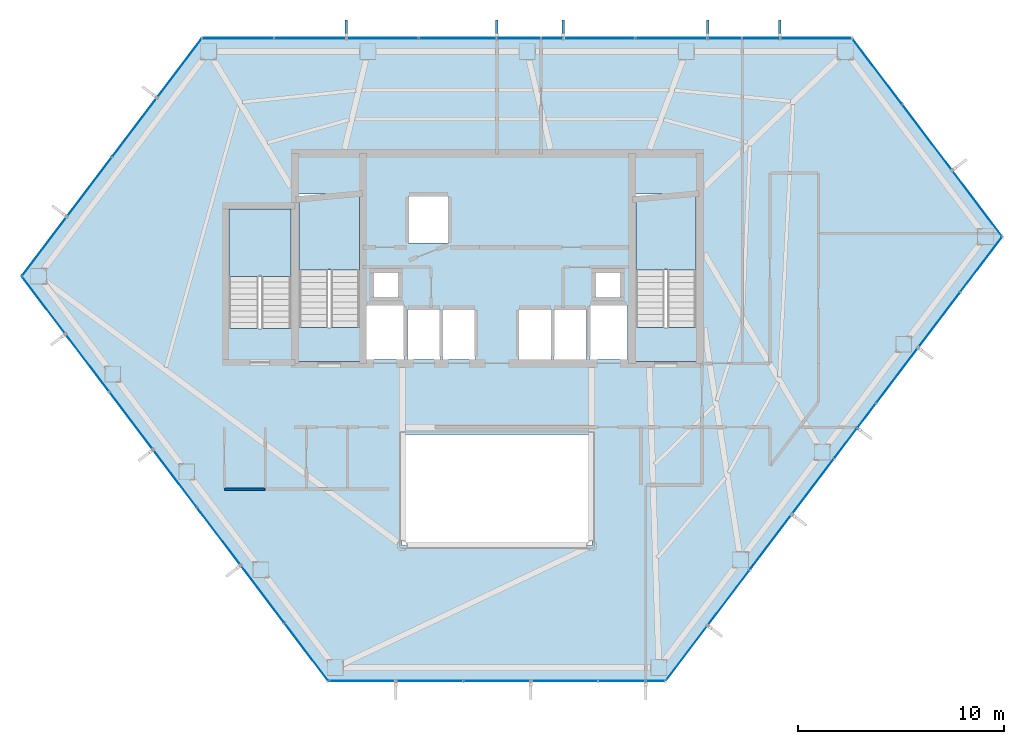
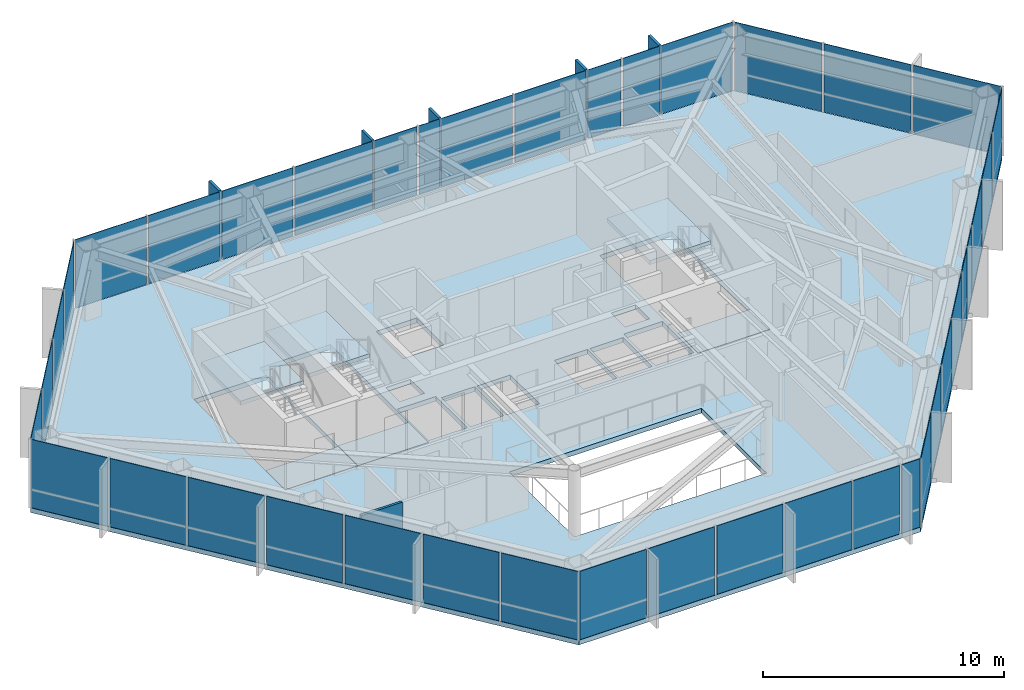
# One storey, part 24 of 28: 40 plates, 7 slabs, 5 members, 1 wall, 9 elements without a shape of their own.
"""IFC4 building model written with IfcOpenShell, lengths in metres."""

import ifcopenshell
import ifcopenshell.guid

model = None  # the IFC model being written
_history = None  # IfcOwnerHistory: only IFC2X3 demands one
_inside = {}  # id of a spatial element -> (the spatial element, [elements in it])
_under = {}  # id of a project, library or spatial element -> (it, [spatial elements below it])
_declared = {}  # id of a project -> (the project, [libraries it declares])
_typed = {}  # id of a type object -> (the type object, [elements of that type])
_made_of = {}  # id of a material, layer set ... -> (it, [elements and type objects made of it])


def new_model(schema):
    """Start an empty IFC model of exactly this schema.

    Asked for "IFC4X3", IfcOpenShell would pick the latest addendum, in which some entities
    have other attributes; the version numbers below select the first issue.
    IFC2X3 requires an IfcOwnerHistory on every rooted entity: one is made here for all.
    """
    global model, _history
    if schema == "IFC4X3":
        model = ifcopenshell.file(schema_version=(4, 3, 0, 0))
    else:
        model = ifcopenshell.file(schema=schema)
    _inside.clear()
    _under.clear()
    _declared.clear()
    _typed.clear()
    _made_of.clear()
    _history = None
    if model.schema == "IFC2X3":
        org = make("IfcOrganization", Name="unknown")
        user = make(
            "IfcPersonAndOrganization",
            ThePerson=make("IfcPerson", FamilyName="unknown"),
            TheOrganization=org,
        )
        app = make(
            "IfcApplication",
            ApplicationDeveloper=org,
            Version="unknown",
            ApplicationFullName="unknown",
            ApplicationIdentifier="unknown",
        )
        _history = make(
            "IfcOwnerHistory",
            OwningUser=user,
            OwningApplication=app,
            ChangeAction="ADDED",
            CreationDate=0,
        )
    return model


def make(cls, **values):
    """One entity of the class cls with the attributes given. An attribute that is None is left unset."""
    return model.create_entity(
        cls, **{name: value for name, value in values.items() if value is not None}
    )


def rooted(cls, **values):
    """An entity with a GlobalId (a new one), such as an element, a storey or a relation."""
    return make(cls, GlobalId=ifcopenshell.guid.new(), OwnerHistory=_history, **values)


def si_unit(unit_type, name, prefix=None):
    """IfcSIUnit, for example si_unit("LENGTHUNIT", "METRE", prefix="MILLI")."""
    return make("IfcSIUnit", UnitType=unit_type, Prefix=prefix, Name=name)


def assignment(units):
    """IfcUnitAssignment: the units of a project."""
    return None if units is None else make("IfcUnitAssignment", Units=units)


def point(xyz):
    """IfcCartesianPoint."""
    return None if xyz is None else make("IfcCartesianPoint", Coordinates=xyz)


def direction(xyz):
    """IfcDirection."""
    return None if xyz is None else make("IfcDirection", DirectionRatios=xyz)


def frame(location, z_axis=None, x_axis=None):
    """IfcAxis2Placement3D, a coordinate frame: its origin and axes. An axis left out is left unset."""
    return make(
        "IfcAxis2Placement3D",
        Location=point(location),
        Axis=direction(z_axis),
        RefDirection=direction(x_axis),
    )


def frame_2d(location, x_axis=None):
    """IfcAxis2Placement2D, a coordinate frame in the plane: its origin and x axis."""
    return make(
        "IfcAxis2Placement2D", Location=point(location), RefDirection=direction(x_axis)
    )


def origin():
    """The frame at (0, 0, 0) with its axes left unset."""
    return frame((0.0, 0.0, 0.0))


def origin_2d():
    """The frame at (0, 0) in the plane with its x axis left unset."""
    return frame_2d((0.0, 0.0))


def place(relative_to, where):
    """IfcLocalPlacement: puts the frame where relative to a parent placement (None: the world)."""
    return make(
        "IfcLocalPlacement", PlacementRelTo=relative_to, RelativePlacement=where
    )


def context(
    kind, dimensions, precision=None, world=None, true_north=None, identifier=None
):
    """IfcGeometricRepresentationContext, for example the 3D "Model" context."""
    return make(
        "IfcGeometricRepresentationContext",
        ContextIdentifier=identifier,
        ContextType=kind,
        CoordinateSpaceDimension=dimensions,
        Precision=precision,
        WorldCoordinateSystem=world,
        TrueNorth=true_north,
    )


def subcontext(parent, identifier, kind, view, scale=None):
    """IfcGeometricRepresentationSubContext, for example "Body" below "Model"."""
    return make(
        "IfcGeometricRepresentationSubContext",
        ContextIdentifier=identifier,
        ContextType=kind,
        ParentContext=parent,
        TargetScale=scale,
        TargetView=view,
    )


def project(units=None, contexts=None):
    """IfcProject with its units and contexts."""
    return rooted(
        "IfcProject",
        Name="project",
        RepresentationContexts=contexts,
        UnitsInContext=assignment(units),
    )


def spatial(cls, under=None, at=None, **own):
    """A site, building, storey or space (cls), placed at a placement, below another one or the project."""
    s = rooted(cls, ObjectPlacement=at, **own)
    if under is not None:
        _under.setdefault(under.id(), (under, []))[1].append(s)
    return s


def polyline(points):
    """IfcPolyline through the points."""
    return make("IfcPolyline", Points=[point(p) for p in points])


def profile(cls, at=None, kind="AREA", **sizes):
    """A parametric profile (cls). Its sizes go by their IFC names, for example OverallWidth=200.0."""
    return make(cls, ProfileType=kind, Position=at, **sizes)


def rectangle(**sizes):
    """IfcRectangleProfileDef."""
    return profile("IfcRectangleProfileDef", **sizes)


def outline(outer, holes=None, kind="AREA"):
    """IfcArbitraryClosedProfileDef: a profile drawn as a closed curve; with holes, ...WithVoids."""
    if holes is None:
        return make("IfcArbitraryClosedProfileDef", ProfileType=kind, OuterCurve=outer)
    return make(
        "IfcArbitraryProfileDefWithVoids",
        ProfileType=kind,
        OuterCurve=outer,
        InnerCurves=holes,
    )


def extrude(swept, where, along, depth):
    """IfcExtrudedAreaSolid: the profile swept, set in the frame where, extruded along a direction by depth."""
    return make(
        "IfcExtrudedAreaSolid",
        SweptArea=swept,
        Position=where,
        ExtrudedDirection=direction(along),
        Depth=depth,
    )


def shape(context_of_items, identifier, shape_type, items):
    """IfcShapeRepresentation: the items that make up one representation, for example the "Body"."""
    return make(
        "IfcShapeRepresentation",
        ContextOfItems=context_of_items,
        RepresentationIdentifier=identifier,
        RepresentationType=shape_type,
        Items=items,
    )


def material(Name=None, Category=None):
    """IfcMaterial."""
    return make("IfcMaterial", Name=Name, Category=Category)


def layer(
    of_material, thickness, ventilated=None, Name=None, Category=None, Priority=None
):
    """IfcMaterialLayer: one layer of a wall or slab, of a material (None: an air gap)."""
    return make(
        "IfcMaterialLayer",
        Material=of_material,
        LayerThickness=thickness,
        IsVentilated=ventilated,
        Name=Name,
        Category=Category,
        Priority=Priority,
    )


def layer_set(layers, Name=None):
    """IfcMaterialLayerSet."""
    return make("IfcMaterialLayerSet", MaterialLayers=layers, LayerSetName=Name)


def material_profile(
    of_material, cross_section, Name=None, Category=None, Priority=None
):
    """IfcMaterialProfile: a cross section and its material."""
    return make(
        "IfcMaterialProfile",
        Name=Name,
        Material=of_material,
        Profile=cross_section,
        Priority=Priority,
        Category=Category,
    )


def profile_set(profiles, Name=None, composite=None):
    """IfcMaterialProfileSet."""
    return make(
        "IfcMaterialProfileSet",
        Name=Name,
        MaterialProfiles=profiles,
        CompositeProfile=composite,
    )


def made_of(thing, what):
    """Note that an element or type object is made of a material, layer set ...; save() writes the relation."""
    if what is not None:
        _made_of.setdefault(what.id(), (what, []))[1].append(thing)
    return thing


def type_object(cls, material=None, **own):
    """A type object (cls), such as IfcWallType, which elements share."""
    return made_of(rooted(cls, **own), material)


def element(
    cls,
    number,
    at=None,
    inside=None,
    cuts=None,
    type_object=None,
    material=None,
    context=None,
    identifier="Body",
    shape_type=None,
    held_by="IfcProductDefinitionShape",
    body=None,
    shapes=None,
    **own,
):
    """One element of the class cls, such as IfcWall. Its Tag is "e" and its number.

    at: its placement. inside: the storey or other place that contains it. cuts: it is an
    opening in that element (IfcRelVoidsElement). A single representation is given by context,
    identifier, shape_type and body (its items); several are given by shapes. held_by: the class
    of the entity that holds the representations. save() writes the other relations.
    """
    e = rooted(cls, Tag="e%d" % number, ObjectPlacement=at, **own)
    if body is not None:
        shapes = [shape(context, identifier, shape_type, body)]
    if shapes is not None:
        e.Representation = make(held_by, Representations=shapes)
    if inside is not None:
        _inside.setdefault(inside.id(), (inside, []))[1].append(e)
    if cuts is not None:
        rooted(
            "IfcRelVoidsElement", RelatingBuildingElement=cuts, RelatedOpeningElement=e
        )
    if type_object is not None:
        _typed.setdefault(type_object.id(), (type_object, []))[1].append(e)
    return made_of(e, material)


def aggregate(whole, parts):
    """IfcRelAggregates: a whole, such as a stair, and the parts it consists of."""
    return rooted("IfcRelAggregates", RelatingObject=whole, RelatedObjects=parts)


def save(model, path):
    """Write the relations noted so far, then the file.

    IfcRelAggregates (storeys below a building ...), IfcRelContainedInSpatialStructure (elements
    in a storey), IfcRelDefinesByType, IfcRelAssociatesMaterial and IfcRelDeclares: one each for
    every whole, place, type object, material and project.
    """
    for whole, parts in _under.values():
        aggregate(whole, parts)
    for where, things in _inside.values():
        rooted(
            "IfcRelContainedInSpatialStructure",
            RelatedElements=things,
            RelatingStructure=where,
        )
    for kind, things in _typed.values():
        rooted("IfcRelDefinesByType", RelatedObjects=things, RelatingType=kind)
    for what, things in _made_of.values():
        rooted("IfcRelAssociatesMaterial", RelatedObjects=things, RelatingMaterial=what)
    for by, libraries in _declared.values():
        rooted("IfcRelDeclares", RelatingContext=by, RelatedDefinitions=libraries)
    model.write(path)


model = new_model("IFC4")

# Units and contexts
model_context = context("Model", 3, precision=1e-05, world=origin(), true_north=direction((0.0, 1.0)))
body_context = subcontext(model_context, "Body", "Model", "MODEL_VIEW")
ifc_project = project(units=[si_unit("LENGTHUNIT", "METRE"), si_unit("AREAUNIT", "SQUARE_METRE"), si_unit("VOLUMEUNIT", "CUBIC_METRE"), si_unit("PLANEANGLEUNIT", "RADIAN"), si_unit("MASSUNIT", "GRAM", prefix="KILO")], contexts=[model_context])

# Site, building, storey
site_placement = place(None, origin())
site = spatial("IfcSite", under=ifc_project, at=site_placement, CompositionType="ELEMENT")
building_placement = place(site_placement, origin())
building = spatial("IfcBuilding", under=site, at=building_placement, Name="Zarrinselat Tower", CompositionType="ELEMENT")
storey_placement = place(building_placement, frame((0.0, 0.0, 145.860107421875)))
storey = spatial("IfcBuildingStorey", under=building, at=storey_placement, Name="L35", CompositionType="ELEMENT", Elevation=145.860107421875)

# Curtain wall, members, plates
ifc_material_1 = material(Name="Extruded Aluminium Alloy EN AW-6063 T6", Category="aluminium")
ifc_layer_1 = layer(ifc_material_1, 0.175048828125)
ifc_layer_set_1 = layer_set([ifc_layer_1], Name="Extruded Aluminium Alloy EN AW-6063 T6")
curtain_wall_type = type_object("IfcCurtainWallType", Name="CWS-HTL", PredefinedType="NOTDEFINED", material=ifc_layer_set_1)
curtain_wall_1_placement = place(storey_placement, origin())
curtain_wall_1 = element("IfcCurtainWall", 1, at=curtain_wall_1_placement, inside=storey, type_object=curtain_wall_type, Name="L35 Unitised Curtain Wall CW-L35-E01", PredefinedType="NOTDEFINED")
ifc_material_2 = material(Name="Honed Cream Travertine Stone", Category="masonry")
ifc_material_profile = material_profile(ifc_material_2, rectangle(XDim=0.1201171875, YDim=0.85009765625, at=origin_2d()), Name="FIN 850x120")
ifc_profile_set = profile_set([ifc_material_profile], Name="Honed Cream Travertine Stone")
member_type = type_object("IfcMemberType", Name="MEM-STONE-FIN", PredefinedType="USERDEFINED", material=ifc_profile_set)
member_1_placement = place(storey_placement, frame((52.126953125, 49.493408203125, 0.0), z_axis=(0.0, 0.0, 1.0), x_axis=(1.0, 0.0, 0.0)))
member_1 = element("IfcMember", 2, at=member_1_placement, type_object=member_type, Name="L35 Stone Shading Fin CW-L35-E01-01", ObjectType="FIN", PredefinedType="USERDEFINED", context=body_context, shape_type="SweptSolid", body=[
    extrude(rectangle(XDim=0.1201171875, YDim=0.85009765625, at=origin_2d()), origin(), (0.0, 0.0, 1.0), 3.5),
])
member_2_placement = place(storey_placement, frame((48.621337890625, 49.493408203125, 0.0), z_axis=(0.0, 0.0, 1.0), x_axis=(1.0, 0.0, 0.0)))
member_2 = element("IfcMember", 3, at=member_2_placement, type_object=member_type, Name="L35 Stone Shading Fin CW-L35-E01-03", ObjectType="FIN", PredefinedType="USERDEFINED", context=body_context, shape_type="SweptSolid", body=[
    extrude(rectangle(XDim=0.1201171875, YDim=0.85009765625, at=origin_2d()), origin(), (0.0, 0.0, 1.0), 3.5),
])
member_3_placement = place(storey_placement, frame((41.610107421875, 49.493408203125, 0.0), z_axis=(0.0, 0.0, 1.0), x_axis=(1.0, 0.0, 0.0)))
member_3 = element("IfcMember", 4, at=member_3_placement, type_object=member_type, Name="L35 Stone Shading Fin CW-L35-E01-05", ObjectType="FIN", PredefinedType="USERDEFINED", context=body_context, shape_type="SweptSolid", body=[
    extrude(rectangle(XDim=0.1201171875, YDim=0.85009765625, at=origin_2d()), origin(), (0.0, 0.0, 1.0), 3.5),
])
member_4_placement = place(storey_placement, frame((38.39990234375, 49.493408203125, 0.0), z_axis=(0.0, 0.0, 1.0), x_axis=(1.0, 0.0, 0.0)))
member_4 = element("IfcMember", 5, at=member_4_placement, type_object=member_type, Name="L35 Stone Shading Fin CW-L35-E01-07", ObjectType="FIN", PredefinedType="USERDEFINED", context=body_context, shape_type="SweptSolid", body=[
    extrude(rectangle(XDim=0.1201171875, YDim=0.85009765625, at=origin_2d()), origin(), (0.0, 0.0, 1.0), 3.5),
])
member_5_placement = place(storey_placement, frame((31.093017578125, 49.493408203125, 0.0), z_axis=(0.0, 0.0, 1.0), x_axis=(1.0, 0.0, 0.0)))
member_5 = element("IfcMember", 6, at=member_5_placement, type_object=member_type, Name="L35 Stone Shading Fin CW-L35-E01-09", ObjectType="FIN", PredefinedType="USERDEFINED", context=body_context, shape_type="SweptSolid", body=[
    extrude(rectangle(XDim=0.1201171875, YDim=0.85009765625, at=origin_2d()), origin(), (0.0, 0.0, 1.0), 3.5),
])
ifc_material_3 = material(Name="Double Low-E Laminated Solar Glass", Category="glass")
ifc_layer_2 = layer(ifc_material_3, 0.028076171875)
ifc_layer_set_2 = layer_set([ifc_layer_2], Name="Double Low-E Laminated Solar Glass")
plate_type = type_object("IfcPlateType", Name="PLT-CW-GL28", PredefinedType="CURTAIN_PANEL", material=ifc_layer_set_2)
plate_1_placement = place(storey_placement, frame((53.8798828125, 49.033203125, 0.02001953125), z_axis=(0.0, 0.0, 1.0), x_axis=(-1.0, 0.0, 0.0)))
plate_1 = element("IfcPlate", 7, at=plate_1_placement, type_object=plate_type, Name="CW-L35-E01 Vision Glass Panel 1", PredefinedType="CURTAIN_PANEL", context=body_context, shape_type="SweptSolid", body=[
    extrude(rectangle(XDim=3.40576171875, YDim=0.028076171875, at=origin_2d()), origin(), (0.0, 0.0, 1.0), 3.4599609375),
])
plate_2_placement = place(storey_placement, frame((51.21337890625, 49.033203125, 0.02001953125), z_axis=(0.0, 0.0, 1.0), x_axis=(-1.0, 0.0, 0.0)))
plate_2 = element("IfcPlate", 8, at=plate_2_placement, type_object=plate_type, Name="CW-L35-E01 Vision Glass Panel 2", PredefinedType="CURTAIN_PANEL", context=body_context, shape_type="SweptSolid", body=[
    extrude(rectangle(XDim=1.72705078125, YDim=0.028076171875, at=origin_2d()), origin(), (0.0, 0.0, 1.0), 3.4599609375),
])
plate_3_placement = place(storey_placement, frame((49.460693359375, 49.033203125, 0.02001953125), z_axis=(0.0, 0.0, 1.0), x_axis=(-1.0, 0.0, 0.0)))
plate_3 = element("IfcPlate", 9, at=plate_3_placement, type_object=plate_type, Name="CW-L35-E01 Vision Glass Panel 3", PredefinedType="CURTAIN_PANEL", context=body_context, shape_type="SweptSolid", body=[
    extrude(rectangle(XDim=1.57861328125, YDim=0.028076171875, at=origin_2d()), origin(), (0.0, 0.0, 1.0), 3.4599609375),
])
plate_4_placement = place(storey_placement, frame((46.86865234375, 49.033203125, 0.02001953125), z_axis=(0.0, 0.0, 1.0), x_axis=(-1.0, 0.0, 0.0)))
plate_4 = element("IfcPlate", 10, at=plate_4_placement, type_object=plate_type, Name="CW-L35-E01 Vision Glass Panel 4", PredefinedType="CURTAIN_PANEL", context=body_context, shape_type="SweptSolid", body=[
    extrude(rectangle(XDim=3.40576171875, YDim=0.028076171875, at=origin_2d()), origin(), (0.0, 0.0, 1.0), 3.4599609375),
])
plate_5_placement = place(storey_placement, frame((43.36279296875, 49.033203125, 0.02001953125), z_axis=(0.0, 0.0, 1.0), x_axis=(-1.0, 0.0, 0.0)))
plate_5 = element("IfcPlate", 11, at=plate_5_placement, type_object=plate_type, Name="CW-L35-E01 Vision Glass Panel 5", PredefinedType="CURTAIN_PANEL", context=body_context, shape_type="SweptSolid", body=[
    extrude(rectangle(XDim=3.40576171875, YDim=0.028076171875, at=origin_2d()), origin(), (0.0, 0.0, 1.0), 3.4599609375),
])
plate_6_placement = place(storey_placement, frame((41.075927734375, 49.033203125, 0.02001953125), z_axis=(0.0, 0.0, 1.0), x_axis=(-1.0, 0.0, 0.0)))
plate_6 = element("IfcPlate", 12, at=plate_6_placement, type_object=plate_type, Name="CW-L35-E01 Vision Glass Panel 6", PredefinedType="CURTAIN_PANEL", context=body_context, shape_type="SweptSolid", body=[
    extrude(rectangle(XDim=0.968017578125, YDim=0.028076171875, at=origin_2d()), origin(), (0.0, 0.0, 1.0), 3.4599609375),
])
plate_7_placement = place(storey_placement, frame((39.470947265625, 49.033203125, 0.02001953125), z_axis=(0.0, 0.0, 1.0), x_axis=(-1.0, 0.0, 0.0)))
plate_7 = element("IfcPlate", 13, at=plate_7_placement, type_object=plate_type, Name="CW-L35-E01 Vision Glass Panel 7", PredefinedType="CURTAIN_PANEL", context=body_context, shape_type="SweptSolid", body=[
    extrude(rectangle(XDim=2.0419921875, YDim=0.028076171875, at=origin_2d()), origin(), (0.0, 0.0, 1.0), 3.4599609375),
])
plate_8_placement = place(storey_placement, frame((36.49951171875, 49.033203125, 0.02001953125), z_axis=(0.0, 0.0, 1.0), x_axis=(-1.0, 0.0, 0.0)))
plate_8 = element("IfcPlate", 14, at=plate_8_placement, type_object=plate_type, Name="CW-L35-E01 Vision Glass Panel 8", PredefinedType="CURTAIN_PANEL", context=body_context, shape_type="SweptSolid", body=[
    extrude(rectangle(XDim=3.701171875, YDim=0.028076171875, at=origin_2d()), origin(), (0.0, 0.0, 1.0), 3.4599609375),
])
plate_9_placement = place(storey_placement, frame((32.845947265625, 49.033203125, 0.02001953125), z_axis=(0.0, 0.0, 1.0), x_axis=(-1.0, 0.0, 0.0)))
plate_9 = element("IfcPlate", 15, at=plate_9_placement, type_object=plate_type, Name="CW-L35-E01 Vision Glass Panel 9", PredefinedType="CURTAIN_PANEL", context=body_context, shape_type="SweptSolid", body=[
    extrude(rectangle(XDim=3.40576171875, YDim=0.028076171875, at=origin_2d()), origin(), (0.0, 0.0, 1.0), 3.4599609375),
])
plate_10_placement = place(storey_placement, frame((29.34033203125, 49.033203125, 0.02001953125), z_axis=(0.0, 0.0, 1.0), x_axis=(-1.0, 0.0, 0.0)))
plate_10 = element("IfcPlate", 16, at=plate_10_placement, type_object=plate_type, Name="CW-L35-E01 Vision Glass Panel 10", PredefinedType="CURTAIN_PANEL", context=body_context, shape_type="SweptSolid", body=[
    extrude(rectangle(XDim=3.40576171875, YDim=0.028076171875, at=origin_2d()), origin(), (0.0, 0.0, 1.0), 3.4599609375),
])
plate_11_placement = place(storey_placement, frame((25.834716796875, 49.033203125, 0.02001953125), z_axis=(0.0, 0.0, 1.0), x_axis=(-1.0, 0.0, 0.0)))
plate_11 = element("IfcPlate", 17, at=plate_11_placement, type_object=plate_type, Name="CW-L35-E01 Vision Glass Panel 11", PredefinedType="CURTAIN_PANEL", context=body_context, shape_type="SweptSolid", body=[
    extrude(rectangle(XDim=3.40576171875, YDim=0.028076171875, at=origin_2d()), origin(), (0.0, 0.0, 1.0), 3.4599609375),
])
aggregate(curtain_wall_1, [member_1, member_2, member_3, member_4, member_5, plate_1, plate_2, plate_3, plate_4, plate_5, plate_6, plate_7, plate_8, plate_9, plate_10, plate_11])

# Curtain wall, plates
curtain_wall_2_placement = place(storey_placement, origin())
curtain_wall_2 = element("IfcCurtainWall", 18, at=curtain_wall_2_placement, inside=storey, type_object=curtain_wall_type, Name="L35 Unitised Curtain Wall CW-L35-E02", PredefinedType="NOTDEFINED")
plate_12_placement = place(storey_placement, frame((22.988037109375, 47.589599609375, 0.02001953125), z_axis=(0.0, 0.0, 1.0), x_axis=(-0.603857687995, -0.797092148154, 0.0)))
plate_12 = element("IfcPlate", 19, at=plate_12_placement, type_object=plate_type, Name="CW-L35-E02 Vision Glass Panel 1", PredefinedType="CURTAIN_PANEL", context=body_context, shape_type="SweptSolid", body=[
    extrude(rectangle(XDim=3.5224609375, YDim=0.028076171875, at=origin_2d()), origin(), (0.0, 0.0, 1.0), 3.4599609375),
])
plate_13_placement = place(storey_placement, frame((20.800537109375, 44.701904296875, 0.02001953125), z_axis=(0.0, 0.0, 1.0), x_axis=(-0.603857687995, -0.797092148154, 0.0)))
plate_13 = element("IfcPlate", 20, at=plate_13_placement, type_object=plate_type, Name="CW-L35-E02 Vision Glass Panel 2", PredefinedType="CURTAIN_PANEL", context=body_context, shape_type="SweptSolid", body=[
    extrude(rectangle(XDim=3.5224609375, YDim=0.028076171875, at=origin_2d()), origin(), (0.0, 0.0, 1.0), 3.4599609375),
])
plate_14_placement = place(storey_placement, frame((18.613037109375, 41.814453125, 0.02001953125), z_axis=(0.0, 0.0, 1.0), x_axis=(-0.603857687995, -0.797092148154, 0.0)))
plate_14 = element("IfcPlate", 21, at=plate_14_placement, type_object=plate_type, Name="CW-L35-E02 Vision Glass Panel 3", PredefinedType="CURTAIN_PANEL", context=body_context, shape_type="SweptSolid", body=[
    extrude(rectangle(XDim=3.5224609375, YDim=0.028076171875, at=origin_2d()), origin(), (0.0, 0.0, 1.0), 3.4599609375),
])
plate_15_placement = place(storey_placement, frame((16.425537109375, 38.927001953125, 0.02001953125), z_axis=(0.0, 0.0, 1.0), x_axis=(-0.603857687995, -0.797092148154, 0.0)))
plate_15 = element("IfcPlate", 22, at=plate_15_placement, type_object=plate_type, Name="CW-L35-E02 Vision Glass Panel 4", PredefinedType="CURTAIN_PANEL", context=body_context, shape_type="SweptSolid", body=[
    extrude(rectangle(XDim=3.5224609375, YDim=0.028076171875, at=origin_2d()), origin(), (0.0, 0.0, 1.0), 3.4599609375),
])
aggregate(curtain_wall_2, [plate_12, plate_13, plate_14, plate_15])

curtain_wall_3_placement = place(storey_placement, origin())
curtain_wall_3 = element("IfcCurtainWall", 23, at=curtain_wall_3_placement, inside=storey, type_object=curtain_wall_type, Name="L35 Unitised Curtain Wall CW-L35-E03", PredefinedType="NOTDEFINED")
plate_16_placement = place(storey_placement, frame((16.395263671875, 36.07958984375, 0.02001953125), z_axis=(0.0, 0.0, 1.0), x_axis=(0.603856985167, -0.7970926806, 0.0)))
plate_16 = element("IfcPlate", 24, at=plate_16_placement, type_object=plate_type, Name="CW-L35-E03 Vision Glass Panel 1", PredefinedType="CURTAIN_PANEL", context=body_context, shape_type="SweptSolid", body=[
    extrude(rectangle(XDim=3.422119140625, YDim=0.028076171875, at=origin_2d()), origin(), (0.0, 0.0, 1.0), 3.4599609375),
])
plate_17_placement = place(storey_placement, frame((18.52197265625, 33.272216796875, 0.02001953125), z_axis=(0.0, 0.0, 1.0), x_axis=(0.603856985167, -0.7970926806, 0.0)))
plate_17 = element("IfcPlate", 25, at=plate_17_placement, type_object=plate_type, Name="CW-L35-E03 Vision Glass Panel 2", PredefinedType="CURTAIN_PANEL", context=body_context, shape_type="SweptSolid", body=[
    extrude(rectangle(XDim=3.422119140625, YDim=0.028076171875, at=origin_2d()), origin(), (0.0, 0.0, 1.0), 3.4599609375),
])
plate_18_placement = place(storey_placement, frame((20.648681640625, 30.46484375, 0.02001953125), z_axis=(0.0, 0.0, 1.0), x_axis=(0.603856985167, -0.7970926806, 0.0)))
plate_18 = element("IfcPlate", 26, at=plate_18_placement, type_object=plate_type, Name="CW-L35-E03 Vision Glass Panel 3", PredefinedType="CURTAIN_PANEL", context=body_context, shape_type="SweptSolid", body=[
    extrude(rectangle(XDim=3.422119140625, YDim=0.028076171875, at=origin_2d()), origin(), (0.0, 0.0, 1.0), 3.4599609375),
])
plate_19_placement = place(storey_placement, frame((22.775634765625, 27.657470703125, 0.02001953125), z_axis=(0.0, 0.0, 1.0), x_axis=(0.603856985167, -0.7970926806, 0.0)))
plate_19 = element("IfcPlate", 27, at=plate_19_placement, type_object=plate_type, Name="CW-L35-E03 Vision Glass Panel 4", PredefinedType="CURTAIN_PANEL", context=body_context, shape_type="SweptSolid", body=[
    extrude(rectangle(XDim=3.422119140625, YDim=0.028076171875, at=origin_2d()), origin(), (0.0, 0.0, 1.0), 3.4599609375),
])
plate_20_placement = place(storey_placement, frame((24.902587890625, 24.85009765625, 0.02001953125), z_axis=(0.0, 0.0, 1.0), x_axis=(0.603856985167, -0.7970926806, 0.0)))
plate_20 = element("IfcPlate", 28, at=plate_20_placement, type_object=plate_type, Name="CW-L35-E03 Vision Glass Panel 5", PredefinedType="CURTAIN_PANEL", context=body_context, shape_type="SweptSolid", body=[
    extrude(rectangle(XDim=3.422119140625, YDim=0.028076171875, at=origin_2d()), origin(), (0.0, 0.0, 1.0), 3.4599609375),
])
plate_21_placement = place(storey_placement, frame((27.029296875, 22.04248046875, 0.02001953125), z_axis=(0.0, 0.0, 1.0), x_axis=(0.603856985167, -0.7970926806, 0.0)))
plate_21 = element("IfcPlate", 29, at=plate_21_placement, type_object=plate_type, Name="CW-L35-E03 Vision Glass Panel 6", PredefinedType="CURTAIN_PANEL", context=body_context, shape_type="SweptSolid", body=[
    extrude(rectangle(XDim=3.422119140625, YDim=0.028076171875, at=origin_2d()), origin(), (0.0, 0.0, 1.0), 3.4599609375),
])
plate_22_placement = place(storey_placement, frame((29.156005859375, 19.235107421875, 0.02001953125), z_axis=(0.0, 0.0, 1.0), x_axis=(0.603856985167, -0.7970926806, 0.0)))
plate_22 = element("IfcPlate", 30, at=plate_22_placement, type_object=plate_type, Name="CW-L35-E03 Vision Glass Panel 7", PredefinedType="CURTAIN_PANEL", context=body_context, shape_type="SweptSolid", body=[
    extrude(rectangle(XDim=3.422119140625, YDim=0.028076171875, at=origin_2d()), origin(), (0.0, 0.0, 1.0), 3.4599609375),
])
aggregate(curtain_wall_3, [plate_16, plate_17, plate_18, plate_19, plate_20, plate_21, plate_22])

curtain_wall_4_placement = place(storey_placement, origin())
curtain_wall_4 = element("IfcCurtainWall", 31, at=curtain_wall_4_placement, inside=storey, type_object=curtain_wall_type, Name="L35 Unitised Curtain Wall CW-L35-E04", PredefinedType="NOTDEFINED")
plate_23_placement = place(storey_placement, frame((31.855712890625, 17.83154296875, 0.02001953125), z_axis=(0.0, 0.0, 1.0), x_axis=(1.0, 0.0, 0.0)))
plate_23 = element("IfcPlate", 32, at=plate_23_placement, type_object=plate_type, Name="CW-L35-E04 Vision Glass Panel 1", PredefinedType="CURTAIN_PANEL", context=body_context, shape_type="SweptSolid", body=[
    extrude(rectangle(XDim=3.172119140625, YDim=0.028076171875, at=origin_2d()), origin(), (0.0, 0.0, 1.0), 3.4599609375),
])
plate_24_placement = place(storey_placement, frame((35.127685546875, 17.83154296875, 0.02001953125), z_axis=(0.0, 0.0, 1.0), x_axis=(1.0, 0.0, 0.0)))
plate_24 = element("IfcPlate", 33, at=plate_24_placement, type_object=plate_type, Name="CW-L35-E04 Vision Glass Panel 2", PredefinedType="CURTAIN_PANEL", context=body_context, shape_type="SweptSolid", body=[
    extrude(rectangle(XDim=3.172119140625, YDim=0.028076171875, at=origin_2d()), origin(), (0.0, 0.0, 1.0), 3.4599609375),
])
plate_25_placement = place(storey_placement, frame((38.39990234375, 17.83154296875, 0.02001953125), z_axis=(0.0, 0.0, 1.0), x_axis=(1.0, 0.0, 0.0)))
plate_25 = element("IfcPlate", 34, at=plate_25_placement, type_object=plate_type, Name="CW-L35-E04 Vision Glass Panel 3", PredefinedType="CURTAIN_PANEL", context=body_context, shape_type="SweptSolid", body=[
    extrude(rectangle(XDim=3.172119140625, YDim=0.028076171875, at=origin_2d()), origin(), (0.0, 0.0, 1.0), 3.4599609375),
])
plate_26_placement = place(storey_placement, frame((41.672119140625, 17.83154296875, 0.02001953125), z_axis=(0.0, 0.0, 1.0), x_axis=(1.0, 0.0, 0.0)))
plate_26 = element("IfcPlate", 35, at=plate_26_placement, type_object=plate_type, Name="CW-L35-E04 Vision Glass Panel 4", PredefinedType="CURTAIN_PANEL", context=body_context, shape_type="SweptSolid", body=[
    extrude(rectangle(XDim=3.172119140625, YDim=0.028076171875, at=origin_2d()), origin(), (0.0, 0.0, 1.0), 3.4599609375),
])
plate_27_placement = place(storey_placement, frame((44.46337890625, 17.83154296875, 0.02001953125), z_axis=(0.0, 0.0, 1.0), x_axis=(1.0, 0.0, 0.0)))
plate_27 = element("IfcPlate", 36, at=plate_27_placement, type_object=plate_type, Name="CW-L35-E04 Vision Glass Panel 5", PredefinedType="CURTAIN_PANEL", context=body_context, shape_type="SweptSolid", body=[
    extrude(rectangle(XDim=2.21044921875, YDim=0.028076171875, at=origin_2d()), origin(), (0.0, 0.0, 1.0), 3.4599609375),
])
plate_28_placement = place(storey_placement, frame((46.099609375, 17.83154296875, 0.02001953125), z_axis=(0.0, 0.0, 1.0), x_axis=(1.0, 0.0, 0.0)))
plate_28 = element("IfcPlate", 37, at=plate_28_placement, type_object=plate_type, Name="CW-L35-E04 Vision Glass Panel 6", PredefinedType="CURTAIN_PANEL", context=body_context, shape_type="SweptSolid", body=[
    extrude(rectangle(XDim=0.86181640625, YDim=0.028076171875, at=origin_2d()), origin(), (0.0, 0.0, 1.0), 3.4599609375),
])
aggregate(curtain_wall_4, [plate_23, plate_24, plate_25, plate_26, plate_27, plate_28])

curtain_wall_5_placement = place(storey_placement, origin())
curtain_wall_5 = element("IfcCurtainWall", 38, at=curtain_wall_5_placement, inside=storey, type_object=curtain_wall_type, Name="L35 Unitised Curtain Wall CW-L35-E05", PredefinedType="NOTDEFINED")
plate_29_placement = place(storey_placement, frame((47.60205078125, 19.179931640625, 0.02001953125), z_axis=(0.0, 0.0, 1.0), x_axis=(0.603857687995, 0.797092148154, 0.0)))
plate_29 = element("IfcPlate", 39, at=plate_29_placement, type_object=plate_type, Name="CW-L35-E05 Vision Glass Panel 1", PredefinedType="CURTAIN_PANEL", context=body_context, shape_type="SweptSolid", body=[
    extrude(rectangle(XDim=3.283447265625, YDim=0.028076171875, at=origin_2d()), origin(), (0.0, 0.0, 1.0), 3.4599609375),
])
plate_30_placement = place(storey_placement, frame((49.645263671875, 21.876953125, 0.02001953125), z_axis=(0.0, 0.0, 1.0), x_axis=(0.603857687995, 0.797092148154, 0.0)))
plate_30 = element("IfcPlate", 40, at=plate_30_placement, type_object=plate_type, Name="CW-L35-E05 Vision Glass Panel 2", PredefinedType="CURTAIN_PANEL", context=body_context, shape_type="SweptSolid", body=[
    extrude(rectangle(XDim=3.283447265625, YDim=0.028076171875, at=origin_2d()), origin(), (0.0, 0.0, 1.0), 3.4599609375),
])
plate_31_placement = place(storey_placement, frame((51.688232421875, 24.57373046875, 0.02001953125), z_axis=(0.0, 0.0, 1.0), x_axis=(0.603857687995, 0.797092148154, 0.0)))
plate_31 = element("IfcPlate", 41, at=plate_31_placement, type_object=plate_type, Name="CW-L35-E05 Vision Glass Panel 3", PredefinedType="CURTAIN_PANEL", context=body_context, shape_type="SweptSolid", body=[
    extrude(rectangle(XDim=3.283447265625, YDim=0.028076171875, at=origin_2d()), origin(), (0.0, 0.0, 1.0), 3.4599609375),
])
plate_32_placement = place(storey_placement, frame((53.7314453125, 27.270751953125, 0.02001953125), z_axis=(0.0, 0.0, 1.0), x_axis=(0.603857687995, 0.797092148154, 0.0)))
plate_32 = element("IfcPlate", 42, at=plate_32_placement, type_object=plate_type, Name="CW-L35-E05 Vision Glass Panel 4", PredefinedType="CURTAIN_PANEL", context=body_context, shape_type="SweptSolid", body=[
    extrude(rectangle(XDim=3.283447265625, YDim=0.028076171875, at=origin_2d()), origin(), (0.0, 0.0, 1.0), 3.4599609375),
])
plate_33_placement = place(storey_placement, frame((55.319091796875, 29.366455078125, 0.02001953125), z_axis=(0.0, 0.0, 1.0), x_axis=(0.603857687995, 0.797092148154, 0.0)))
plate_33 = element("IfcPlate", 43, at=plate_33_placement, type_object=plate_type, Name="CW-L35-E05 Vision Glass Panel 5", PredefinedType="CURTAIN_PANEL", context=body_context, shape_type="SweptSolid", body=[
    extrude(rectangle(XDim=1.77490234375, YDim=0.028076171875, at=origin_2d()), origin(), (0.0, 0.0, 1.0), 3.4599609375),
])
plate_34_placement = place(storey_placement, frame((56.3408203125, 30.71484375, 0.02001953125), z_axis=(0.0, 0.0, 1.0), x_axis=(0.603857687995, 0.797092148154, 0.0)))
plate_34 = element("IfcPlate", 44, at=plate_34_placement, type_object=plate_type, Name="CW-L35-E05 Vision Glass Panel 6", PredefinedType="CURTAIN_PANEL", context=body_context, shape_type="SweptSolid", body=[
    extrude(rectangle(XDim=1.408447265625, YDim=0.028076171875, at=origin_2d()), origin(), (0.0, 0.0, 1.0), 3.4599609375),
])
plate_35_placement = place(storey_placement, frame((57.817626953125, 32.66455078125, 0.02001953125), z_axis=(0.0, 0.0, 1.0), x_axis=(0.603857687995, 0.797092148154, 0.0)))
plate_35 = element("IfcPlate", 45, at=plate_35_placement, type_object=plate_type, Name="CW-L35-E05 Vision Glass Panel 7", PredefinedType="CURTAIN_PANEL", context=body_context, shape_type="SweptSolid", body=[
    extrude(rectangle(XDim=3.283447265625, YDim=0.028076171875, at=origin_2d()), origin(), (0.0, 0.0, 1.0), 3.4599609375),
])
plate_36_placement = place(storey_placement, frame((59.86083984375, 35.361572265625, 0.02001953125), z_axis=(0.0, 0.0, 1.0), x_axis=(0.603857687995, 0.797092148154, 0.0)))
plate_36 = element("IfcPlate", 46, at=plate_36_placement, type_object=plate_type, Name="CW-L35-E05 Vision Glass Panel 8", PredefinedType="CURTAIN_PANEL", context=body_context, shape_type="SweptSolid", body=[
    extrude(rectangle(XDim=3.283447265625, YDim=0.028076171875, at=origin_2d()), origin(), (0.0, 0.0, 1.0), 3.4599609375),
])
plate_37_placement = place(storey_placement, frame((61.90380859375, 38.058349609375, 0.02001953125), z_axis=(0.0, 0.0, 1.0), x_axis=(0.603857687995, 0.797092148154, 0.0)))
plate_37 = element("IfcPlate", 47, at=plate_37_placement, type_object=plate_type, Name="CW-L35-E05 Vision Glass Panel 9", PredefinedType="CURTAIN_PANEL", context=body_context, shape_type="SweptSolid", body=[
    extrude(rectangle(XDim=3.283447265625, YDim=0.028076171875, at=origin_2d()), origin(), (0.0, 0.0, 1.0), 3.4599609375),
])
aggregate(curtain_wall_5, [plate_29, plate_30, plate_31, plate_32, plate_33, plate_34, plate_35, plate_36, plate_37])

curtain_wall_6_placement = place(storey_placement, origin())
curtain_wall_6 = element("IfcCurtainWall", 48, at=curtain_wall_6_placement, inside=storey, type_object=curtain_wall_type, Name="L35 Unitised Curtain Wall CW-L35-E06", PredefinedType="NOTDEFINED")
plate_38_placement = place(storey_placement, frame((61.7099609375, 41.01123046875, 0.02001953125), z_axis=(0.0, 0.0, 1.0), x_axis=(-0.603861514104, 0.797089249573, 0.0)))
plate_38 = element("IfcPlate", 49, at=plate_38_placement, type_object=plate_type, Name="CW-L35-E06 Vision Glass Panel 1", PredefinedType="CURTAIN_PANEL", context=body_context, shape_type="SweptSolid", body=[
    extrude(rectangle(XDim=3.925537109375, YDim=0.028076171875, at=origin_2d()), origin(), (0.0, 0.0, 1.0), 3.4599609375),
])
plate_39_placement = place(storey_placement, frame((59.279052734375, 44.22021484375, 0.02001953125), z_axis=(0.0, 0.0, 1.0), x_axis=(-0.603861514104, 0.797089249573, 0.0)))
plate_39 = element("IfcPlate", 50, at=plate_39_placement, type_object=plate_type, Name="CW-L35-E06 Vision Glass Panel 2", PredefinedType="CURTAIN_PANEL", context=body_context, shape_type="SweptSolid", body=[
    extrude(rectangle(XDim=3.925537109375, YDim=0.028076171875, at=origin_2d()), origin(), (0.0, 0.0, 1.0), 3.4599609375),
])
plate_40_placement = place(storey_placement, frame((56.84814453125, 47.428955078125, 0.02001953125), z_axis=(0.0, 0.0, 1.0), x_axis=(-0.603861514104, 0.797089249573, 0.0)))
plate_40 = element("IfcPlate", 51, at=plate_40_placement, type_object=plate_type, Name="CW-L35-E06 Vision Glass Panel 3", PredefinedType="CURTAIN_PANEL", context=body_context, shape_type="SweptSolid", body=[
    extrude(rectangle(XDim=3.925537109375, YDim=0.028076171875, at=origin_2d()), origin(), (0.0, 0.0, 1.0), 3.4599609375),
])
aggregate(curtain_wall_6, [plate_38, plate_39, plate_40])

# Slabs
ifc_material_4 = material(Name="Concrete C40/50", Category="concrete")
ifc_layer_3 = layer(ifc_material_4, 0.239990234375)
ifc_layer_set_3 = layer_set([ifc_layer_3], Name="Concrete C40/50")
slab_type_1 = type_object("IfcSlabType", Name="SLB-FLOOR-240-SL-HT240", PredefinedType="FLOOR", material=ifc_layer_set_3)
slab_1_placement = place(storey_placement, frame((0.0, 0.0, -0.239990234375)))
element("IfcSlab", 52, at=slab_1_placement, inside=storey, type_object=slab_type_1, Name="L35 Primary Structural Slab", PredefinedType="FLOOR", context=body_context, shape_type="SweptSolid", body=[
    extrude(outline(polyline([(55.6328125, 49.033203125), (24.081787109375, 49.033203125), (15.331787109375, 37.4833984375), (30.219482421875, 17.83154296875), (46.58056640625, 17.83154296875), (62.925537109375, 39.406982421875), (55.6328125, 49.033203125)]), holes=[polyline([(35.64990234375, 33.449951171875), (34.050048828125, 33.449951171875), (34.050048828125, 35.85009765625), (35.64990234375, 35.85009765625), (35.64990234375, 33.449951171875)]), polyline([(35.75, 33.449951171875), (35.75, 35.85009765625), (37.35009765625, 35.85009765625), (37.35009765625, 33.449951171875), (35.75, 33.449951171875)]), polyline([(32.06005859375, 33.449951171875), (32.06005859375, 36.050048828125), (33.89990234375, 36.050048828125), (33.89990234375, 33.449951171875), (32.06005859375, 33.449951171875)]), polyline([(33.60009765625, 36.47998046875), (32.419921875, 36.47998046875), (32.419921875, 37.639892578125), (33.60009765625, 37.639892578125), (33.60009765625, 36.47998046875)]), polyline([(28.594970703125, 33.324951171875), (25.114990234375, 33.324951171875), (25.114990234375, 40.875), (28.594970703125, 40.875), (28.594970703125, 33.324951171875)]), polyline([(31.985107421875, 33.324951171875), (28.60498046875, 33.324951171875), (28.60498046875, 41.47509765625), (31.985107421875, 41.47509765625), (31.985107421875, 33.324951171875)]), polyline([(36.050048828125, 39.10009765625), (34.10009765625, 39.10009765625), (34.10009765625, 41.35009765625), (36.050048828125, 41.35009765625), (36.050048828125, 39.10009765625)]), polyline([(33.800048828125, 24.39990234375), (33.800048828125, 29.800048828125), (43.0, 29.800048828125), (43.0, 24.39990234375), (33.800048828125, 24.39990234375)]), polyline([(39.449951171875, 33.449951171875), (39.449951171875, 35.85009765625), (41.050048828125, 35.85009765625), (41.050048828125, 33.449951171875), (39.449951171875, 33.449951171875)]), polyline([(41.14990234375, 33.449951171875), (41.14990234375, 35.85009765625), (42.75, 35.85009765625), (42.75, 33.449951171875), (41.14990234375, 33.449951171875)]), polyline([(42.89990234375, 33.449951171875), (42.89990234375, 36.050048828125), (44.739990234375, 36.050048828125), (44.739990234375, 33.449951171875), (42.89990234375, 33.449951171875)]), polyline([(43.199951171875, 36.47998046875), (43.199951171875, 37.639892578125), (44.3798828125, 37.639892578125), (44.3798828125, 36.47998046875), (43.199951171875, 36.47998046875)]), polyline([(48.324951171875, 33.324951171875), (44.875, 33.324951171875), (44.875, 41.47509765625), (48.324951171875, 41.47509765625), (48.324951171875, 33.324951171875)])]), origin(), (0.0, 0.0, 1.0), 0.239990234375),
])
slab_2_placement = place(storey_placement, frame((0.0, 0.0, -0.239990234375)))
element("IfcSlab", 53, at=slab_2_placement, inside=storey, type_object=slab_type_1, Name="L35 Stair ST-1-FL1 Structural Floor Landing", PredefinedType="FLOOR", context=body_context, shape_type="SweptSolid", body=[
    extrude(outline(polyline([(31.97998046875, 33.330078125), (31.97998046875, 35.0), (28.610107421875, 35.0), (28.610107421875, 33.330078125), (31.97998046875, 33.330078125)])), origin(), (0.0, 0.0, 1.0), 0.239990234375),
])
slab_3_placement = place(storey_placement, frame((0.0, 0.0, -0.239990234375)))
element("IfcSlab", 54, at=slab_3_placement, inside=storey, type_object=slab_type_1, Name="L35 Stair ST-2-FL1 Structural Floor Landing", PredefinedType="FLOOR", context=body_context, shape_type="SweptSolid", body=[
    extrude(outline(polyline([(48.320068359375, 33.330078125), (48.320068359375, 35.0), (44.8798828125, 35.0), (44.8798828125, 33.330078125), (48.320068359375, 33.330078125)])), origin(), (0.0, 0.0, 1.0), 0.239990234375),
])
slab_4_placement = place(storey_placement, frame((0.0, 0.0, -0.239990234375)))
element("IfcSlab", 55, at=slab_4_placement, inside=storey, type_object=slab_type_1, Name="L35 Stair ST-3-FL1 Structural Floor Landing", PredefinedType="FLOOR", context=body_context, shape_type="SweptSolid", body=[
    extrude(outline(polyline([(28.590087890625, 33.330078125), (28.590087890625, 34.949951171875), (25.1201171875, 34.949951171875), (25.1201171875, 33.330078125), (28.590087890625, 33.330078125)])), origin(), (0.0, 0.0, 1.0), 0.239990234375),
])

# Stair, slab
ifc_material_5 = material(Name="Concrete C40/50", Category="concrete")
stair_type_1 = type_object("IfcStairType", Name="STR-CORE-145", PredefinedType="HALF_TURN_STAIR", material=ifc_material_5)
stair_1_placement = place(storey_placement, origin())
stair_1 = element("IfcStair", 56, at=stair_1_placement, inside=storey, type_object=stair_type_1, Name="L35 Podium & Mid-Tower Exit Stair 3", PredefinedType="HALF_TURN_STAIR")
ifc_material_6 = material(Name="Concrete C40/50", Category="concrete")
ifc_layer_4 = layer(ifc_material_6, 0.1650390625)
ifc_layer_set_4 = layer_set([ifc_layer_4], Name="Concrete C40/50")
slab_type_2 = type_object("IfcSlabType", Name="SLB-LND-165", PredefinedType="LANDING", material=ifc_layer_set_4)
slab_5_placement = place(storey_placement, frame((0.0, 0.0, 1.669921875)))
slab_5 = element("IfcSlab", 57, at=slab_5_placement, type_object=slab_type_2, Name="ST-3 landing 1", PredefinedType="LANDING", context=body_context, shape_type="SweptSolid", body=[
    extrude(outline(polyline([(28.39990234375, 37.469970703125), (28.39990234375, 40.75), (25.3798828125, 40.75), (25.3798828125, 37.469970703125), (28.39990234375, 37.469970703125)])), origin(), (0.0, 0.0, 1.0), 0.199951171875),
])
aggregate(stair_1, [slab_5])

ifc_material_7 = material(Name="Concrete C40/50", Category="concrete")
stair_type_2 = type_object("IfcStairType", Name="STR-CORE-155", PredefinedType="HALF_TURN_STAIR", material=ifc_material_7)
stair_2_placement = place(storey_placement, origin())
stair_2 = element("IfcStair", 58, at=stair_2_placement, inside=storey, type_object=stair_type_2, Name="L35 Core Exit Stair 1", PredefinedType="HALF_TURN_STAIR")
ifc_material_8 = material(Name="Concrete C40/50", Category="concrete")
ifc_layer_5 = layer(ifc_material_8, 0.18994140625)
ifc_layer_set_5 = layer_set([ifc_layer_5], Name="Concrete C40/50")
slab_type_3 = type_object("IfcSlabType", Name="SLB-LND-190", PredefinedType="LANDING", material=ifc_layer_set_5)
slab_6_placement = place(storey_placement, frame((0.0, 0.0, 1.669921875)))
slab_6 = element("IfcSlab", 59, at=slab_6_placement, type_object=slab_type_3, Name="ST-1 landing 1", PredefinedType="LANDING", context=body_context, shape_type="SweptSolid", body=[
    extrude(outline(polyline([(31.719970703125, 37.7900390625), (31.719970703125, 41.35009765625), (28.800048828125, 41.35009765625), (28.800048828125, 37.7900390625), (31.719970703125, 37.7900390625)])), origin(), (0.0, 0.0, 1.0), 0.199951171875),
])
aggregate(stair_2, [slab_6])

stair_3_placement = place(storey_placement, origin())
stair_3 = element("IfcStair", 60, at=stair_3_placement, inside=storey, type_object=stair_type_2, Name="L35 Core Exit Stair 2", PredefinedType="HALF_TURN_STAIR")
slab_7_placement = place(storey_placement, frame((0.0, 0.0, 1.669921875)))
slab_7 = element("IfcSlab", 61, at=slab_7_placement, type_object=slab_type_3, Name="ST-2 landing 1", PredefinedType="LANDING", context=body_context, shape_type="SweptSolid", body=[
    extrude(outline(polyline([(48.06005859375, 37.7900390625), (48.06005859375, 41.35009765625), (45.139892578125, 41.35009765625), (45.139892578125, 37.7900390625), (48.06005859375, 37.7900390625)])), origin(), (0.0, 0.0, 1.0), 0.199951171875),
])
aggregate(stair_3, [slab_7])

# Wall
ifc_material_9 = material(Name="Fire-Rated Gypsum Board Partition", Category="gypsum")
ifc_layer_6 = layer(ifc_material_9, 0.1201171875)
ifc_layer_set_6 = layer_set([ifc_layer_6], Name="Fire-Rated Gypsum Board Partition")
wall_type = type_object("IfcWallType", Name="WAL-PART-STD", PredefinedType="PARTITIONING", material=ifc_layer_set_6)
wall_placement = place(storey_placement, frame((25.169921875, 27.14990234375, 0.0), z_axis=(0.0, 0.0, 1.0), x_axis=(1.0, 0.0, 0.0)))
element("IfcWall", 62, at=wall_placement, inside=storey, type_object=wall_type, Name="L35 Partition Wall 30", PredefinedType="PARTITIONING", context=body_context, shape_type="SweptSolid", body=[
    extrude(rectangle(XDim=1.9599609375, YDim=0.1201171875, at=frame_2d((0.97998046875, 0.0))), origin(), (0.0, 0.0, 1.0), 2.456787109375),
])

save(model, "model.ifc")
